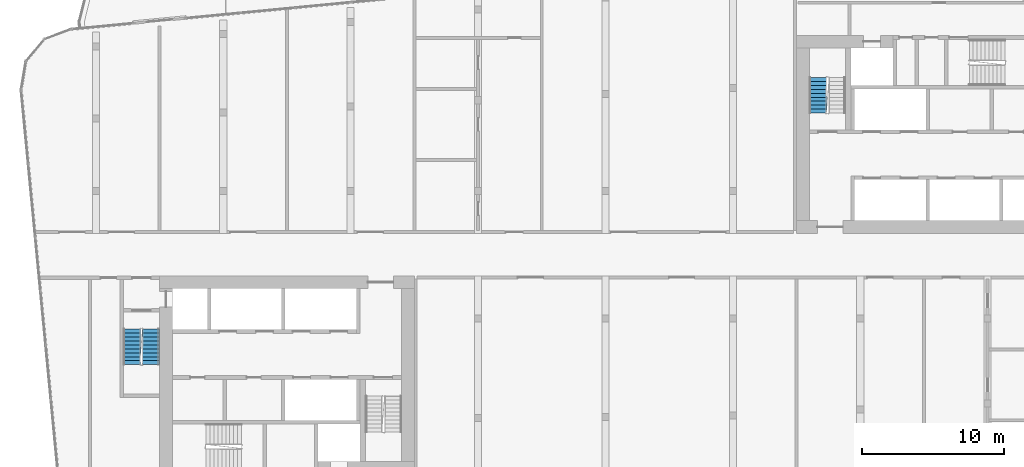
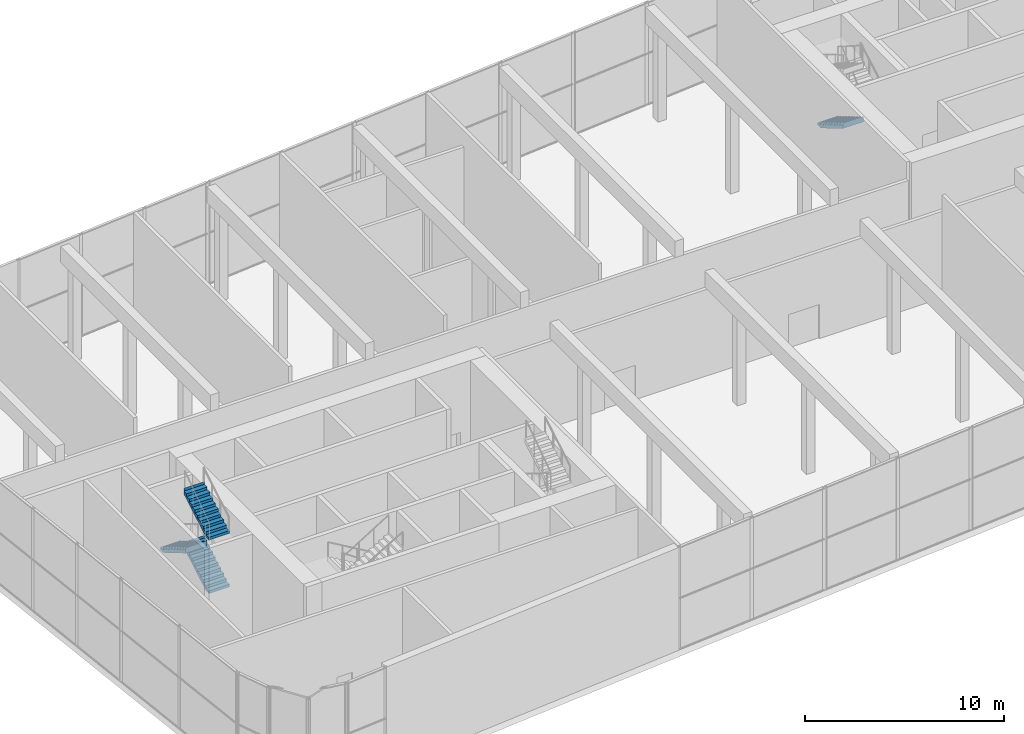
# One storey, part 18 of 24: 4 stair flights, 2 elements without a shape of their own.
"""IFC4 building model written with IfcOpenShell, lengths in metres."""

import ifcopenshell
import ifcopenshell.guid

model = None  # the IFC model being written
_history = None  # IfcOwnerHistory: only IFC2X3 demands one
_inside = {}  # id of a spatial element -> (the spatial element, [elements in it])
_under = {}  # id of a project, library or spatial element -> (it, [spatial elements below it])
_declared = {}  # id of a project -> (the project, [libraries it declares])
_typed = {}  # id of a type object -> (the type object, [elements of that type])
_made_of = {}  # id of a material, layer set ... -> (it, [elements and type objects made of it])


def new_model(schema):
    """Start an empty IFC model of exactly this schema.

    Asked for "IFC4X3", IfcOpenShell would pick the latest addendum, in which some entities
    have other attributes; the version numbers below select the first issue.
    IFC2X3 requires an IfcOwnerHistory on every rooted entity: one is made here for all.
    """
    global model, _history
    if schema == "IFC4X3":
        model = ifcopenshell.file(schema_version=(4, 3, 0, 0))
    else:
        model = ifcopenshell.file(schema=schema)
    _inside.clear()
    _under.clear()
    _declared.clear()
    _typed.clear()
    _made_of.clear()
    _history = None
    if model.schema == "IFC2X3":
        org = make("IfcOrganization", Name="unknown")
        user = make(
            "IfcPersonAndOrganization",
            ThePerson=make("IfcPerson", FamilyName="unknown"),
            TheOrganization=org,
        )
        app = make(
            "IfcApplication",
            ApplicationDeveloper=org,
            Version="unknown",
            ApplicationFullName="unknown",
            ApplicationIdentifier="unknown",
        )
        _history = make(
            "IfcOwnerHistory",
            OwningUser=user,
            OwningApplication=app,
            ChangeAction="ADDED",
            CreationDate=0,
        )
    return model


def make(cls, **values):
    """One entity of the class cls with the attributes given. An attribute that is None is left unset."""
    return model.create_entity(
        cls, **{name: value for name, value in values.items() if value is not None}
    )


def rooted(cls, **values):
    """An entity with a GlobalId (a new one), such as an element, a storey or a relation."""
    return make(cls, GlobalId=ifcopenshell.guid.new(), OwnerHistory=_history, **values)


def si_unit(unit_type, name, prefix=None):
    """IfcSIUnit, for example si_unit("LENGTHUNIT", "METRE", prefix="MILLI")."""
    return make("IfcSIUnit", UnitType=unit_type, Prefix=prefix, Name=name)


def assignment(units):
    """IfcUnitAssignment: the units of a project."""
    return None if units is None else make("IfcUnitAssignment", Units=units)


def point(xyz):
    """IfcCartesianPoint."""
    return None if xyz is None else make("IfcCartesianPoint", Coordinates=xyz)


def direction(xyz):
    """IfcDirection."""
    return None if xyz is None else make("IfcDirection", DirectionRatios=xyz)


def frame(location, z_axis=None, x_axis=None):
    """IfcAxis2Placement3D, a coordinate frame: its origin and axes. An axis left out is left unset."""
    return make(
        "IfcAxis2Placement3D",
        Location=point(location),
        Axis=direction(z_axis),
        RefDirection=direction(x_axis),
    )


def origin():
    """The frame at (0, 0, 0) with its axes left unset."""
    return frame((0.0, 0.0, 0.0))


def place(relative_to, where):
    """IfcLocalPlacement: puts the frame where relative to a parent placement (None: the world)."""
    return make(
        "IfcLocalPlacement", PlacementRelTo=relative_to, RelativePlacement=where
    )


def context(
    kind, dimensions, precision=None, world=None, true_north=None, identifier=None
):
    """IfcGeometricRepresentationContext, for example the 3D "Model" context."""
    return make(
        "IfcGeometricRepresentationContext",
        ContextIdentifier=identifier,
        ContextType=kind,
        CoordinateSpaceDimension=dimensions,
        Precision=precision,
        WorldCoordinateSystem=world,
        TrueNorth=true_north,
    )


def subcontext(parent, identifier, kind, view, scale=None):
    """IfcGeometricRepresentationSubContext, for example "Body" below "Model"."""
    return make(
        "IfcGeometricRepresentationSubContext",
        ContextIdentifier=identifier,
        ContextType=kind,
        ParentContext=parent,
        TargetScale=scale,
        TargetView=view,
    )


def project(units=None, contexts=None):
    """IfcProject with its units and contexts."""
    return rooted(
        "IfcProject",
        Name="project",
        RepresentationContexts=contexts,
        UnitsInContext=assignment(units),
    )


def spatial(cls, under=None, at=None, **own):
    """A site, building, storey or space (cls), placed at a placement, below another one or the project."""
    s = rooted(cls, ObjectPlacement=at, **own)
    if under is not None:
        _under.setdefault(under.id(), (under, []))[1].append(s)
    return s


def faces_of(points, faces, orient=None, outer=None):
    """IfcFace entities. A face is a list of loops; a loop is a list of indices into points, from 0.

    orient and outer hold one flag for each loop. By default every Orientation is true, the
    first loop of a face is its IfcFaceOuterBound and the others are IfcFaceBound.
    """
    made = []
    for i, loops in enumerate(faces):
        bounds = []
        for j, loop in enumerate(loops):
            is_outer = j == 0 if outer is None else outer[i][j]
            bounds.append(
                make(
                    "IfcFaceOuterBound" if is_outer else "IfcFaceBound",
                    Bound=make("IfcPolyLoop", Polygon=[points[k] for k in loop]),
                    Orientation=True if orient is None else orient[i][j],
                )
            )
        made.append(make("IfcFace", Bounds=bounds))
    return made


def faceted_brep(points, faces, orient=None, outer=None, voids=None):
    """IfcFacetedBrep: a solid bounded by flat faces; with voids (closed shells), ...WithVoids."""
    shared = [point(p) for p in points]
    hull = make("IfcClosedShell", CfsFaces=faces_of(shared, faces, orient, outer))
    if voids is None:
        return make("IfcFacetedBrep", Outer=hull)
    return make(
        "IfcFacetedBrepWithVoids",
        Outer=hull,
        Voids=[
            make(cls, CfsFaces=faces_of(shared, fs, o, b)) for cls, fs, o, b in voids
        ],
    )


def shape(context_of_items, identifier, shape_type, items):
    """IfcShapeRepresentation: the items that make up one representation, for example the "Body"."""
    return make(
        "IfcShapeRepresentation",
        ContextOfItems=context_of_items,
        RepresentationIdentifier=identifier,
        RepresentationType=shape_type,
        Items=items,
    )


def material(Name=None, Category=None):
    """IfcMaterial."""
    return make("IfcMaterial", Name=Name, Category=Category)


def made_of(thing, what):
    """Note that an element or type object is made of a material, layer set ...; save() writes the relation."""
    if what is not None:
        _made_of.setdefault(what.id(), (what, []))[1].append(thing)
    return thing


def type_object(cls, material=None, **own):
    """A type object (cls), such as IfcWallType, which elements share."""
    return made_of(rooted(cls, **own), material)


def element(
    cls,
    number,
    at=None,
    inside=None,
    cuts=None,
    type_object=None,
    material=None,
    context=None,
    identifier="Body",
    shape_type=None,
    held_by="IfcProductDefinitionShape",
    body=None,
    shapes=None,
    **own,
):
    """One element of the class cls, such as IfcWall. Its Tag is "e" and its number.

    at: its placement. inside: the storey or other place that contains it. cuts: it is an
    opening in that element (IfcRelVoidsElement). A single representation is given by context,
    identifier, shape_type and body (its items); several are given by shapes. held_by: the class
    of the entity that holds the representations. save() writes the other relations.
    """
    e = rooted(cls, Tag="e%d" % number, ObjectPlacement=at, **own)
    if body is not None:
        shapes = [shape(context, identifier, shape_type, body)]
    if shapes is not None:
        e.Representation = make(held_by, Representations=shapes)
    if inside is not None:
        _inside.setdefault(inside.id(), (inside, []))[1].append(e)
    if cuts is not None:
        rooted(
            "IfcRelVoidsElement", RelatingBuildingElement=cuts, RelatedOpeningElement=e
        )
    if type_object is not None:
        _typed.setdefault(type_object.id(), (type_object, []))[1].append(e)
    return made_of(e, material)


def aggregate(whole, parts):
    """IfcRelAggregates: a whole, such as a stair, and the parts it consists of."""
    return rooted("IfcRelAggregates", RelatingObject=whole, RelatedObjects=parts)


def save(model, path):
    """Write the relations noted so far, then the file.

    IfcRelAggregates (storeys below a building ...), IfcRelContainedInSpatialStructure (elements
    in a storey), IfcRelDefinesByType, IfcRelAssociatesMaterial and IfcRelDeclares: one each for
    every whole, place, type object, material and project.
    """
    for whole, parts in _under.values():
        aggregate(whole, parts)
    for where, things in _inside.values():
        rooted(
            "IfcRelContainedInSpatialStructure",
            RelatedElements=things,
            RelatingStructure=where,
        )
    for kind, things in _typed.values():
        rooted("IfcRelDefinesByType", RelatedObjects=things, RelatingType=kind)
    for what, things in _made_of.values():
        rooted("IfcRelAssociatesMaterial", RelatedObjects=things, RelatingMaterial=what)
    for by, libraries in _declared.values():
        rooted("IfcRelDeclares", RelatingContext=by, RelatedDefinitions=libraries)
    model.write(path)


model = new_model("IFC4")

# Units and contexts
model_context = context("Model", 3, precision=1e-05, world=origin(), true_north=direction((0.0, 1.0)))
body_context = subcontext(model_context, "Body", "Model", "MODEL_VIEW")
ifc_project = project(units=[si_unit("LENGTHUNIT", "METRE"), si_unit("AREAUNIT", "SQUARE_METRE"), si_unit("VOLUMEUNIT", "CUBIC_METRE"), si_unit("PLANEANGLEUNIT", "RADIAN"), si_unit("MASSUNIT", "GRAM", prefix="KILO")], contexts=[model_context])

# Site, building, storey
site_placement = place(None, origin())
site = spatial("IfcSite", under=ifc_project, at=site_placement, CompositionType="ELEMENT")
building_placement = place(site_placement, origin())
building = spatial("IfcBuilding", under=site, at=building_placement, Name="Kajstack Hotel Tower", CompositionType="ELEMENT")
storey_placement = place(building_placement, frame((0.0, 0.0, 261.89990234375)))
storey = spatial("IfcBuildingStorey", under=building, at=storey_placement, Name="L65", CompositionType="ELEMENT", Elevation=261.89990234375)

# Stair, stair flights
ifc_material = material(Name="Concrete C40/50", Category="concrete")
stair_type = type_object("IfcStairType", Name="Exit stair 1200", PredefinedType="HALF_TURN_STAIR", material=ifc_material)
stair_1_placement = place(storey_placement, origin())
stair_1 = element("IfcStair", 1, at=stair_1_placement, inside=storey, type_object=stair_type, Name="L65 stair W1", PredefinedType="HALF_TURN_STAIR")
stair_flight_type = type_object("IfcStairFlightType", Name="Exit stair flight 1200", PredefinedType="STRAIGHT", material=ifc_material)
stair_flight_1_placement = place(storey_placement, frame((-32.10009765625, -7.77001953125, 1.650146484375), z_axis=(0.0, 0.0, 1.0), x_axis=(0.0, 1.0, 0.0)))
stair_flight_1 = element("IfcStairFlight", 2, at=stair_flight_1_placement, type_object=stair_flight_type, Name="W1 flight 2", NumberOfRisers=10, NumberOfTreads=9, PredefinedType="STRAIGHT", RiserHeight=0.165, TreadLength=0.28, context=body_context, shape_type="Brep", body=[
    faceted_brep([(0.295654296875, -0.60009765625, 0.0), (2.5205078125, -0.60009765625, 1.31103515625), (2.5205078125, -0.60009765625, 1.64990234375), (2.52001953125, -0.60009765625, 1.64990234375), (2.52001953125, -0.60009765625, 1.485107421875), (2.239990234375, -0.60009765625, 1.485107421875), (2.239990234375, -0.60009765625, 1.320068359375), (1.9599609375, -0.60009765625, 1.320068359375), (1.9599609375, -0.60009765625, 1.155029296875), (1.679931640625, -0.60009765625, 1.155029296875), (1.679931640625, -0.60009765625, 0.989990234375), (1.39990234375, -0.60009765625, 0.989990234375), (1.39990234375, -0.60009765625, 0.824951171875), (1.1201171875, -0.60009765625, 0.824951171875), (1.1201171875, -0.60009765625, 0.659912109375), (0.840087890625, -0.60009765625, 0.659912109375), (0.840087890625, -0.60009765625, 0.4951171875), (0.56005859375, -0.60009765625, 0.4951171875), (0.56005859375, -0.60009765625, 0.330078125), (0.280029296875, -0.60009765625, 0.330078125), (0.280029296875, -0.60009765625, 0.1650390625), (-0.00048828125, -0.60009765625, 0.1650390625), (-0.00048828125, -0.60009765625, 0.0), (-0.00048828125, 0.60009765625, 0.0), (-0.00048828125, 0.60009765625, 0.1650390625), (0.280029296875, 0.60009765625, 0.1650390625), (0.280029296875, 0.60009765625, 0.330078125), (0.56005859375, 0.60009765625, 0.330078125), (0.56005859375, 0.60009765625, 0.4951171875), (0.840087890625, 0.60009765625, 0.4951171875), (0.840087890625, 0.60009765625, 0.659912109375), (1.1201171875, 0.60009765625, 0.659912109375), (1.1201171875, 0.60009765625, 0.824951171875), (1.39990234375, 0.60009765625, 0.824951171875), (1.39990234375, 0.60009765625, 0.989990234375), (1.679931640625, 0.60009765625, 0.989990234375), (1.679931640625, 0.60009765625, 1.155029296875), (1.9599609375, 0.60009765625, 1.155029296875), (1.9599609375, 0.60009765625, 1.320068359375), (2.239990234375, 0.60009765625, 1.320068359375), (2.239990234375, 0.60009765625, 1.485107421875), (2.52001953125, 0.60009765625, 1.485107421875), (2.52001953125, 0.60009765625, 1.64990234375), (2.5205078125, 0.60009765625, 1.64990234375), (2.5205078125, 0.60009765625, 1.31103515625), (0.295654296875, 0.60009765625, 0.0), (-0.00048828125, -0.300048828125, 0.1650390625), (-0.00048828125, 0.0, 0.1650390625), (-0.00048828125, 0.300048828125, 0.1650390625), (-0.00048828125, 0.300048828125, 0.0), (-0.00048828125, 0.0, 0.0), (-0.00048828125, -0.300048828125, 0.0), (0.280029296875, -0.300048828125, 0.1650390625), (0.280029296875, 0.0, 0.1650390625), (0.280029296875, 0.300048828125, 0.1650390625), (0.280029296875, -0.300048828125, 0.330078125), (0.280029296875, 0.0, 0.330078125), (0.280029296875, 0.300048828125, 0.330078125), (0.56005859375, -0.300048828125, 0.330078125), (0.56005859375, 0.0, 0.330078125), (0.56005859375, 0.300048828125, 0.330078125), (0.56005859375, -0.300048828125, 0.4951171875), (0.56005859375, 0.0, 0.4951171875), (0.56005859375, 0.300048828125, 0.4951171875), (0.840087890625, -0.300048828125, 0.4951171875), (0.840087890625, 0.0, 0.4951171875), (0.840087890625, 0.300048828125, 0.4951171875), (0.840087890625, -0.300048828125, 0.659912109375), (0.840087890625, 0.0, 0.659912109375), (0.840087890625, 0.300048828125, 0.659912109375), (1.1201171875, -0.300048828125, 0.659912109375), (1.1201171875, 0.0, 0.659912109375), (1.1201171875, 0.300048828125, 0.659912109375), (1.1201171875, -0.300048828125, 0.824951171875), (1.1201171875, 0.0, 0.824951171875), (1.1201171875, 0.300048828125, 0.824951171875), (1.39990234375, -0.300048828125, 0.824951171875), (1.39990234375, 0.0, 0.824951171875), (1.39990234375, 0.300048828125, 0.824951171875), (1.39990234375, -0.300048828125, 0.989990234375), (1.39990234375, 0.0, 0.989990234375), (1.39990234375, 0.300048828125, 0.989990234375), (1.679931640625, -0.300048828125, 0.989990234375), (1.679931640625, 0.0, 0.989990234375), (1.679931640625, 0.300048828125, 0.989990234375), (1.679931640625, -0.300048828125, 1.155029296875), (1.679931640625, 0.0, 1.155029296875), (1.679931640625, 0.300048828125, 1.155029296875), (1.9599609375, -0.300048828125, 1.155029296875), (1.9599609375, 0.0, 1.155029296875), (1.9599609375, 0.300048828125, 1.155029296875), (1.9599609375, -0.300048828125, 1.320068359375), (1.9599609375, 0.0, 1.320068359375), (1.9599609375, 0.300048828125, 1.320068359375), (2.239990234375, -0.300048828125, 1.320068359375), (2.239990234375, 0.0, 1.320068359375), (2.239990234375, 0.300048828125, 1.320068359375), (2.239990234375, -0.300048828125, 1.485107421875), (2.239990234375, 0.0, 1.485107421875), (2.239990234375, 0.300048828125, 1.485107421875), (2.52001953125, -0.300048828125, 1.485107421875), (2.52001953125, 0.0, 1.485107421875), (2.52001953125, 0.300048828125, 1.485107421875), (2.52001953125, -0.300048828125, 1.64990234375), (2.52001953125, 0.0, 1.64990234375), (2.52001953125, 0.300048828125, 1.64990234375), (2.5205078125, -0.300048828125, 1.64990234375), (2.5205078125, 0.0, 1.64990234375), (2.5205078125, 0.300048828125, 1.64990234375), (2.5205078125, -0.300048828125, 1.31103515625), (2.5205078125, 0.0, 1.31103515625), (2.5205078125, 0.300048828125, 1.31103515625), (0.295654296875, -0.300048828125, 0.0), (0.295654296875, 0.0, 0.0), (0.295654296875, 0.300048828125, 0.0)], [[[0, 1, 2, 3, 4, 5, 6, 7, 8, 9, 10, 11, 12, 13, 14, 15, 16, 17, 18, 19, 20, 21, 22]], [[23, 24, 25, 26, 27, 28, 29, 30, 31, 32, 33, 34, 35, 36, 37, 38, 39, 40, 41, 42, 43, 44, 45]], [[21, 46, 47, 48, 24, 23, 49, 50, 51, 22]], [[20, 52, 53, 54, 25, 24, 48, 47, 46, 21]], [[19, 55, 56, 57, 26, 25, 54, 53, 52, 20]], [[18, 58, 59, 60, 27, 26, 57, 56, 55, 19]], [[17, 61, 62, 63, 28, 27, 60, 59, 58, 18]], [[16, 64, 65, 66, 29, 28, 63, 62, 61, 17]], [[15, 67, 68, 69, 30, 29, 66, 65, 64, 16]], [[14, 70, 71, 72, 31, 30, 69, 68, 67, 15]], [[13, 73, 74, 75, 32, 31, 72, 71, 70, 14]], [[12, 76, 77, 78, 33, 32, 75, 74, 73, 13]], [[11, 79, 80, 81, 34, 33, 78, 77, 76, 12]], [[10, 82, 83, 84, 35, 34, 81, 80, 79, 11]], [[9, 85, 86, 87, 36, 35, 84, 83, 82, 10]], [[8, 88, 89, 90, 37, 36, 87, 86, 85, 9]], [[7, 91, 92, 93, 38, 37, 90, 89, 88, 8]], [[6, 94, 95, 96, 39, 38, 93, 92, 91, 7]], [[5, 97, 98, 99, 40, 39, 96, 95, 94, 6]], [[4, 100, 101, 102, 41, 40, 99, 98, 97, 5]], [[3, 103, 104, 105, 42, 41, 102, 101, 100, 4]], [[2, 106, 107, 108, 43, 42, 105, 104, 103, 3]], [[1, 109, 110, 111, 44, 43, 108, 107, 106, 2]], [[0, 112, 113, 114, 45, 44, 111, 110, 109, 1]], [[22, 51, 50, 49, 23, 45, 114, 113, 112, 0]]]),
])
stair_flight_2_placement = place(storey_placement, frame((-33.449951171875, -5.25, 3.300048828125), z_axis=(0.0, 0.0, 1.0), x_axis=(0.0, -1.0, 0.0)))
stair_flight_2 = element("IfcStairFlight", 3, at=stair_flight_2_placement, type_object=stair_flight_type, Name="W1 flight 3", NumberOfRisers=10, NumberOfTreads=9, PredefinedType="STRAIGHT", RiserHeight=0.165, TreadLength=0.28, context=body_context, shape_type="Brep", body=[
    faceted_brep([(0.295654296875, -0.60009765625, 0.0), (2.5205078125, -0.60009765625, 1.31103515625), (2.5205078125, -0.60009765625, 1.64990234375), (2.52001953125, -0.60009765625, 1.64990234375), (2.52001953125, -0.60009765625, 1.485107421875), (2.239990234375, -0.60009765625, 1.485107421875), (2.239990234375, -0.60009765625, 1.320068359375), (1.9599609375, -0.60009765625, 1.320068359375), (1.9599609375, -0.60009765625, 1.155029296875), (1.679931640625, -0.60009765625, 1.155029296875), (1.679931640625, -0.60009765625, 0.989990234375), (1.39990234375, -0.60009765625, 0.989990234375), (1.39990234375, -0.60009765625, 0.824951171875), (1.1201171875, -0.60009765625, 0.824951171875), (1.1201171875, -0.60009765625, 0.659912109375), (0.840087890625, -0.60009765625, 0.659912109375), (0.840087890625, -0.60009765625, 0.4951171875), (0.56005859375, -0.60009765625, 0.4951171875), (0.56005859375, -0.60009765625, 0.330078125), (0.280029296875, -0.60009765625, 0.330078125), (0.280029296875, -0.60009765625, 0.1650390625), (-0.00048828125, -0.60009765625, 0.1650390625), (-0.00048828125, -0.60009765625, 0.0), (-0.00048828125, 0.60009765625, 0.0), (-0.00048828125, 0.60009765625, 0.1650390625), (0.280029296875, 0.60009765625, 0.1650390625), (0.280029296875, 0.60009765625, 0.330078125), (0.56005859375, 0.60009765625, 0.330078125), (0.56005859375, 0.60009765625, 0.4951171875), (0.840087890625, 0.60009765625, 0.4951171875), (0.840087890625, 0.60009765625, 0.659912109375), (1.1201171875, 0.60009765625, 0.659912109375), (1.1201171875, 0.60009765625, 0.824951171875), (1.39990234375, 0.60009765625, 0.824951171875), (1.39990234375, 0.60009765625, 0.989990234375), (1.679931640625, 0.60009765625, 0.989990234375), (1.679931640625, 0.60009765625, 1.155029296875), (1.9599609375, 0.60009765625, 1.155029296875), (1.9599609375, 0.60009765625, 1.320068359375), (2.239990234375, 0.60009765625, 1.320068359375), (2.239990234375, 0.60009765625, 1.485107421875), (2.52001953125, 0.60009765625, 1.485107421875), (2.52001953125, 0.60009765625, 1.64990234375), (2.5205078125, 0.60009765625, 1.64990234375), (2.5205078125, 0.60009765625, 1.31103515625), (0.295654296875, 0.60009765625, 0.0), (-0.00048828125, -0.300048828125, 0.1650390625), (-0.00048828125, 0.0, 0.1650390625), (-0.00048828125, 0.300048828125, 0.1650390625), (-0.00048828125, 0.300048828125, 0.0), (-0.00048828125, 0.0, 0.0), (-0.00048828125, -0.300048828125, 0.0), (0.280029296875, -0.300048828125, 0.1650390625), (0.280029296875, 0.0, 0.1650390625), (0.280029296875, 0.300048828125, 0.1650390625), (0.280029296875, -0.300048828125, 0.330078125), (0.280029296875, 0.0, 0.330078125), (0.280029296875, 0.300048828125, 0.330078125), (0.56005859375, -0.300048828125, 0.330078125), (0.56005859375, 0.0, 0.330078125), (0.56005859375, 0.300048828125, 0.330078125), (0.56005859375, -0.300048828125, 0.4951171875), (0.56005859375, 0.0, 0.4951171875), (0.56005859375, 0.300048828125, 0.4951171875), (0.840087890625, -0.300048828125, 0.4951171875), (0.840087890625, 0.0, 0.4951171875), (0.840087890625, 0.300048828125, 0.4951171875), (0.840087890625, -0.300048828125, 0.659912109375), (0.840087890625, 0.0, 0.659912109375), (0.840087890625, 0.300048828125, 0.659912109375), (1.1201171875, -0.300048828125, 0.659912109375), (1.1201171875, 0.0, 0.659912109375), (1.1201171875, 0.300048828125, 0.659912109375), (1.1201171875, -0.300048828125, 0.824951171875), (1.1201171875, 0.0, 0.824951171875), (1.1201171875, 0.300048828125, 0.824951171875), (1.39990234375, -0.300048828125, 0.824951171875), (1.39990234375, 0.0, 0.824951171875), (1.39990234375, 0.300048828125, 0.824951171875), (1.39990234375, -0.300048828125, 0.989990234375), (1.39990234375, 0.0, 0.989990234375), (1.39990234375, 0.300048828125, 0.989990234375), (1.679931640625, -0.300048828125, 0.989990234375), (1.679931640625, 0.0, 0.989990234375), (1.679931640625, 0.300048828125, 0.989990234375), (1.679931640625, -0.300048828125, 1.155029296875), (1.679931640625, 0.0, 1.155029296875), (1.679931640625, 0.300048828125, 1.155029296875), (1.9599609375, -0.300048828125, 1.155029296875), (1.9599609375, 0.0, 1.155029296875), (1.9599609375, 0.300048828125, 1.155029296875), (1.9599609375, -0.300048828125, 1.320068359375), (1.9599609375, 0.0, 1.320068359375), (1.9599609375, 0.300048828125, 1.320068359375), (2.239990234375, -0.300048828125, 1.320068359375), (2.239990234375, 0.0, 1.320068359375), (2.239990234375, 0.300048828125, 1.320068359375), (2.239990234375, -0.300048828125, 1.485107421875), (2.239990234375, 0.0, 1.485107421875), (2.239990234375, 0.300048828125, 1.485107421875), (2.52001953125, -0.300048828125, 1.485107421875), (2.52001953125, 0.0, 1.485107421875), (2.52001953125, 0.300048828125, 1.485107421875), (2.52001953125, -0.300048828125, 1.64990234375), (2.52001953125, 0.0, 1.64990234375), (2.52001953125, 0.300048828125, 1.64990234375), (2.5205078125, -0.300048828125, 1.64990234375), (2.5205078125, 0.0, 1.64990234375), (2.5205078125, 0.300048828125, 1.64990234375), (2.5205078125, -0.300048828125, 1.31103515625), (2.5205078125, 0.0, 1.31103515625), (2.5205078125, 0.300048828125, 1.31103515625), (0.295654296875, -0.300048828125, 0.0), (0.295654296875, 0.0, 0.0), (0.295654296875, 0.300048828125, 0.0)], [[[0, 1, 2, 3, 4, 5, 6, 7, 8, 9, 10, 11, 12, 13, 14, 15, 16, 17, 18, 19, 20, 21, 22]], [[23, 24, 25, 26, 27, 28, 29, 30, 31, 32, 33, 34, 35, 36, 37, 38, 39, 40, 41, 42, 43, 44, 45]], [[21, 46, 47, 48, 24, 23, 49, 50, 51, 22]], [[20, 52, 53, 54, 25, 24, 48, 47, 46, 21]], [[19, 55, 56, 57, 26, 25, 54, 53, 52, 20]], [[18, 58, 59, 60, 27, 26, 57, 56, 55, 19]], [[17, 61, 62, 63, 28, 27, 60, 59, 58, 18]], [[16, 64, 65, 66, 29, 28, 63, 62, 61, 17]], [[15, 67, 68, 69, 30, 29, 66, 65, 64, 16]], [[14, 70, 71, 72, 31, 30, 69, 68, 67, 15]], [[13, 73, 74, 75, 32, 31, 72, 71, 70, 14]], [[12, 76, 77, 78, 33, 32, 75, 74, 73, 13]], [[11, 79, 80, 81, 34, 33, 78, 77, 76, 12]], [[10, 82, 83, 84, 35, 34, 81, 80, 79, 11]], [[9, 85, 86, 87, 36, 35, 84, 83, 82, 10]], [[8, 88, 89, 90, 37, 36, 87, 86, 85, 9]], [[7, 91, 92, 93, 38, 37, 90, 89, 88, 8]], [[6, 94, 95, 96, 39, 38, 93, 92, 91, 7]], [[5, 97, 98, 99, 40, 39, 96, 95, 94, 6]], [[4, 100, 101, 102, 41, 40, 99, 98, 97, 5]], [[3, 103, 104, 105, 42, 41, 102, 101, 100, 4]], [[2, 106, 107, 108, 43, 42, 105, 104, 103, 3]], [[1, 109, 110, 111, 44, 43, 108, 107, 106, 2]], [[0, 112, 113, 114, 45, 44, 111, 110, 109, 1]], [[22, 51, 50, 49, 23, 45, 114, 113, 112, 0]]]),
])
stair_flight_3_placement = place(storey_placement, frame((-32.10009765625, -7.77001953125, 4.9501953125), z_axis=(0.0, 0.0, 1.0), x_axis=(0.0, 1.0, 0.0)))
stair_flight_3 = element("IfcStairFlight", 4, at=stair_flight_3_placement, type_object=stair_flight_type, Name="W1 flight 4", NumberOfRisers=10, NumberOfTreads=9, PredefinedType="STRAIGHT", RiserHeight=0.165, TreadLength=0.28, context=body_context, shape_type="Brep", body=[
    faceted_brep([(0.295654296875, -0.60009765625, 0.0), (2.5205078125, -0.60009765625, 1.31103515625), (2.5205078125, -0.60009765625, 1.64990234375), (2.52001953125, -0.60009765625, 1.64990234375), (2.52001953125, -0.60009765625, 1.485107421875), (2.239990234375, -0.60009765625, 1.485107421875), (2.239990234375, -0.60009765625, 1.320068359375), (1.9599609375, -0.60009765625, 1.320068359375), (1.9599609375, -0.60009765625, 1.155029296875), (1.679931640625, -0.60009765625, 1.155029296875), (1.679931640625, -0.60009765625, 0.989990234375), (1.39990234375, -0.60009765625, 0.989990234375), (1.39990234375, -0.60009765625, 0.824951171875), (1.1201171875, -0.60009765625, 0.824951171875), (1.1201171875, -0.60009765625, 0.659912109375), (0.840087890625, -0.60009765625, 0.659912109375), (0.840087890625, -0.60009765625, 0.4951171875), (0.56005859375, -0.60009765625, 0.4951171875), (0.56005859375, -0.60009765625, 0.330078125), (0.280029296875, -0.60009765625, 0.330078125), (0.280029296875, -0.60009765625, 0.1650390625), (-0.00048828125, -0.60009765625, 0.1650390625), (-0.00048828125, -0.60009765625, 0.0), (-0.00048828125, 0.60009765625, 0.0), (-0.00048828125, 0.60009765625, 0.1650390625), (0.280029296875, 0.60009765625, 0.1650390625), (0.280029296875, 0.60009765625, 0.330078125), (0.56005859375, 0.60009765625, 0.330078125), (0.56005859375, 0.60009765625, 0.4951171875), (0.840087890625, 0.60009765625, 0.4951171875), (0.840087890625, 0.60009765625, 0.659912109375), (1.1201171875, 0.60009765625, 0.659912109375), (1.1201171875, 0.60009765625, 0.824951171875), (1.39990234375, 0.60009765625, 0.824951171875), (1.39990234375, 0.60009765625, 0.989990234375), (1.679931640625, 0.60009765625, 0.989990234375), (1.679931640625, 0.60009765625, 1.155029296875), (1.9599609375, 0.60009765625, 1.155029296875), (1.9599609375, 0.60009765625, 1.320068359375), (2.239990234375, 0.60009765625, 1.320068359375), (2.239990234375, 0.60009765625, 1.485107421875), (2.52001953125, 0.60009765625, 1.485107421875), (2.52001953125, 0.60009765625, 1.64990234375), (2.5205078125, 0.60009765625, 1.64990234375), (2.5205078125, 0.60009765625, 1.31103515625), (0.295654296875, 0.60009765625, 0.0), (-0.00048828125, -0.300048828125, 0.1650390625), (-0.00048828125, 0.0, 0.1650390625), (-0.00048828125, 0.300048828125, 0.1650390625), (-0.00048828125, 0.300048828125, 0.0), (-0.00048828125, 0.0, 0.0), (-0.00048828125, -0.300048828125, 0.0), (0.280029296875, -0.300048828125, 0.1650390625), (0.280029296875, 0.0, 0.1650390625), (0.280029296875, 0.300048828125, 0.1650390625), (0.280029296875, -0.300048828125, 0.330078125), (0.280029296875, 0.0, 0.330078125), (0.280029296875, 0.300048828125, 0.330078125), (0.56005859375, -0.300048828125, 0.330078125), (0.56005859375, 0.0, 0.330078125), (0.56005859375, 0.300048828125, 0.330078125), (0.56005859375, -0.300048828125, 0.4951171875), (0.56005859375, 0.0, 0.4951171875), (0.56005859375, 0.300048828125, 0.4951171875), (0.840087890625, -0.300048828125, 0.4951171875), (0.840087890625, 0.0, 0.4951171875), (0.840087890625, 0.300048828125, 0.4951171875), (0.840087890625, -0.300048828125, 0.659912109375), (0.840087890625, 0.0, 0.659912109375), (0.840087890625, 0.300048828125, 0.659912109375), (1.1201171875, -0.300048828125, 0.659912109375), (1.1201171875, 0.0, 0.659912109375), (1.1201171875, 0.300048828125, 0.659912109375), (1.1201171875, -0.300048828125, 0.824951171875), (1.1201171875, 0.0, 0.824951171875), (1.1201171875, 0.300048828125, 0.824951171875), (1.39990234375, -0.300048828125, 0.824951171875), (1.39990234375, 0.0, 0.824951171875), (1.39990234375, 0.300048828125, 0.824951171875), (1.39990234375, -0.300048828125, 0.989990234375), (1.39990234375, 0.0, 0.989990234375), (1.39990234375, 0.300048828125, 0.989990234375), (1.679931640625, -0.300048828125, 0.989990234375), (1.679931640625, 0.0, 0.989990234375), (1.679931640625, 0.300048828125, 0.989990234375), (1.679931640625, -0.300048828125, 1.155029296875), (1.679931640625, 0.0, 1.155029296875), (1.679931640625, 0.300048828125, 1.155029296875), (1.9599609375, -0.300048828125, 1.155029296875), (1.9599609375, 0.0, 1.155029296875), (1.9599609375, 0.300048828125, 1.155029296875), (1.9599609375, -0.300048828125, 1.320068359375), (1.9599609375, 0.0, 1.320068359375), (1.9599609375, 0.300048828125, 1.320068359375), (2.239990234375, -0.300048828125, 1.320068359375), (2.239990234375, 0.0, 1.320068359375), (2.239990234375, 0.300048828125, 1.320068359375), (2.239990234375, -0.300048828125, 1.485107421875), (2.239990234375, 0.0, 1.485107421875), (2.239990234375, 0.300048828125, 1.485107421875), (2.52001953125, -0.300048828125, 1.485107421875), (2.52001953125, 0.0, 1.485107421875), (2.52001953125, 0.300048828125, 1.485107421875), (2.52001953125, -0.300048828125, 1.64990234375), (2.52001953125, 0.0, 1.64990234375), (2.52001953125, 0.300048828125, 1.64990234375), (2.5205078125, -0.300048828125, 1.64990234375), (2.5205078125, 0.0, 1.64990234375), (2.5205078125, 0.300048828125, 1.64990234375), (2.5205078125, -0.300048828125, 1.31103515625), (2.5205078125, 0.0, 1.31103515625), (2.5205078125, 0.300048828125, 1.31103515625), (0.295654296875, -0.300048828125, 0.0), (0.295654296875, 0.0, 0.0), (0.295654296875, 0.300048828125, 0.0)], [[[0, 1, 2, 3, 4, 5, 6, 7, 8, 9, 10, 11, 12, 13, 14, 15, 16, 17, 18, 19, 20, 21, 22]], [[23, 24, 25, 26, 27, 28, 29, 30, 31, 32, 33, 34, 35, 36, 37, 38, 39, 40, 41, 42, 43, 44, 45]], [[21, 46, 47, 48, 24, 23, 49, 50, 51, 22]], [[20, 52, 53, 54, 25, 24, 48, 47, 46, 21]], [[19, 55, 56, 57, 26, 25, 54, 53, 52, 20]], [[18, 58, 59, 60, 27, 26, 57, 56, 55, 19]], [[17, 61, 62, 63, 28, 27, 60, 59, 58, 18]], [[16, 64, 65, 66, 29, 28, 63, 62, 61, 17]], [[15, 67, 68, 69, 30, 29, 66, 65, 64, 16]], [[14, 70, 71, 72, 31, 30, 69, 68, 67, 15]], [[13, 73, 74, 75, 32, 31, 72, 71, 70, 14]], [[12, 76, 77, 78, 33, 32, 75, 74, 73, 13]], [[11, 79, 80, 81, 34, 33, 78, 77, 76, 12]], [[10, 82, 83, 84, 35, 34, 81, 80, 79, 11]], [[9, 85, 86, 87, 36, 35, 84, 83, 82, 10]], [[8, 88, 89, 90, 37, 36, 87, 86, 85, 9]], [[7, 91, 92, 93, 38, 37, 90, 89, 88, 8]], [[6, 94, 95, 96, 39, 38, 93, 92, 91, 7]], [[5, 97, 98, 99, 40, 39, 96, 95, 94, 6]], [[4, 100, 101, 102, 41, 40, 99, 98, 97, 5]], [[3, 103, 104, 105, 42, 41, 102, 101, 100, 4]], [[2, 106, 107, 108, 43, 42, 105, 104, 103, 3]], [[1, 109, 110, 111, 44, 43, 108, 107, 106, 2]], [[0, 112, 113, 114, 45, 44, 111, 110, 109, 1]], [[22, 51, 50, 49, 23, 45, 114, 113, 112, 0]]]),
])
aggregate(stair_1, [stair_flight_1, stair_flight_2, stair_flight_3])

# Stair, stair flight
stair_2_placement = place(storey_placement, origin())
stair_2 = element("IfcStair", 5, at=stair_2_placement, inside=storey, type_object=stair_type, Name="L65 stair E2", PredefinedType="HALF_TURN_STAIR")
stair_flight_4_placement = place(storey_placement, frame((15.0, 12.52001953125, 1.650146484375), z_axis=(0.0, 0.0, 1.0), x_axis=(0.0, -1.0, 0.0)))
stair_flight_4 = element("IfcStairFlight", 6, at=stair_flight_4_placement, type_object=stair_flight_type, Name="E2 flight 2", NumberOfRisers=10, NumberOfTreads=9, PredefinedType="STRAIGHT", RiserHeight=0.165, TreadLength=0.28, context=body_context, shape_type="Brep", body=[
    faceted_brep([(0.295654296875, -0.60009765625, 0.0), (2.5205078125, -0.60009765625, 1.31103515625), (2.5205078125, -0.60009765625, 1.64990234375), (2.52001953125, -0.60009765625, 1.64990234375), (2.52001953125, -0.60009765625, 1.485107421875), (2.239990234375, -0.60009765625, 1.485107421875), (2.239990234375, -0.60009765625, 1.320068359375), (1.9599609375, -0.60009765625, 1.320068359375), (1.9599609375, -0.60009765625, 1.155029296875), (1.679931640625, -0.60009765625, 1.155029296875), (1.679931640625, -0.60009765625, 0.989990234375), (1.39990234375, -0.60009765625, 0.989990234375), (1.39990234375, -0.60009765625, 0.824951171875), (1.1201171875, -0.60009765625, 0.824951171875), (1.1201171875, -0.60009765625, 0.659912109375), (0.840087890625, -0.60009765625, 0.659912109375), (0.840087890625, -0.60009765625, 0.4951171875), (0.56005859375, -0.60009765625, 0.4951171875), (0.56005859375, -0.60009765625, 0.330078125), (0.280029296875, -0.60009765625, 0.330078125), (0.280029296875, -0.60009765625, 0.1650390625), (-0.00048828125, -0.60009765625, 0.1650390625), (-0.00048828125, -0.60009765625, 0.0), (-0.00048828125, 0.60009765625, 0.0), (-0.00048828125, 0.60009765625, 0.1650390625), (0.280029296875, 0.60009765625, 0.1650390625), (0.280029296875, 0.60009765625, 0.330078125), (0.56005859375, 0.60009765625, 0.330078125), (0.56005859375, 0.60009765625, 0.4951171875), (0.840087890625, 0.60009765625, 0.4951171875), (0.840087890625, 0.60009765625, 0.659912109375), (1.1201171875, 0.60009765625, 0.659912109375), (1.1201171875, 0.60009765625, 0.824951171875), (1.39990234375, 0.60009765625, 0.824951171875), (1.39990234375, 0.60009765625, 0.989990234375), (1.679931640625, 0.60009765625, 0.989990234375), (1.679931640625, 0.60009765625, 1.155029296875), (1.9599609375, 0.60009765625, 1.155029296875), (1.9599609375, 0.60009765625, 1.320068359375), (2.239990234375, 0.60009765625, 1.320068359375), (2.239990234375, 0.60009765625, 1.485107421875), (2.52001953125, 0.60009765625, 1.485107421875), (2.52001953125, 0.60009765625, 1.64990234375), (2.5205078125, 0.60009765625, 1.64990234375), (2.5205078125, 0.60009765625, 1.31103515625), (0.295654296875, 0.60009765625, 0.0), (-0.00048828125, -0.300048828125, 0.1650390625), (-0.00048828125, 0.0, 0.1650390625), (-0.00048828125, 0.300048828125, 0.1650390625), (-0.00048828125, 0.300048828125, 0.0), (-0.00048828125, 0.0, 0.0), (-0.00048828125, -0.300048828125, 0.0), (0.280029296875, -0.300048828125, 0.1650390625), (0.280029296875, 0.0, 0.1650390625), (0.280029296875, 0.300048828125, 0.1650390625), (0.280029296875, -0.300048828125, 0.330078125), (0.280029296875, 0.0, 0.330078125), (0.280029296875, 0.300048828125, 0.330078125), (0.56005859375, -0.300048828125, 0.330078125), (0.56005859375, 0.0, 0.330078125), (0.56005859375, 0.300048828125, 0.330078125), (0.56005859375, -0.300048828125, 0.4951171875), (0.56005859375, 0.0, 0.4951171875), (0.56005859375, 0.300048828125, 0.4951171875), (0.840087890625, -0.300048828125, 0.4951171875), (0.840087890625, 0.0, 0.4951171875), (0.840087890625, 0.300048828125, 0.4951171875), (0.840087890625, -0.300048828125, 0.659912109375), (0.840087890625, 0.0, 0.659912109375), (0.840087890625, 0.300048828125, 0.659912109375), (1.1201171875, -0.300048828125, 0.659912109375), (1.1201171875, 0.0, 0.659912109375), (1.1201171875, 0.300048828125, 0.659912109375), (1.1201171875, -0.300048828125, 0.824951171875), (1.1201171875, 0.0, 0.824951171875), (1.1201171875, 0.300048828125, 0.824951171875), (1.39990234375, -0.300048828125, 0.824951171875), (1.39990234375, 0.0, 0.824951171875), (1.39990234375, 0.300048828125, 0.824951171875), (1.39990234375, -0.300048828125, 0.989990234375), (1.39990234375, 0.0, 0.989990234375), (1.39990234375, 0.300048828125, 0.989990234375), (1.679931640625, -0.300048828125, 0.989990234375), (1.679931640625, 0.0, 0.989990234375), (1.679931640625, 0.300048828125, 0.989990234375), (1.679931640625, -0.300048828125, 1.155029296875), (1.679931640625, 0.0, 1.155029296875), (1.679931640625, 0.300048828125, 1.155029296875), (1.9599609375, -0.300048828125, 1.155029296875), (1.9599609375, 0.0, 1.155029296875), (1.9599609375, 0.300048828125, 1.155029296875), (1.9599609375, -0.300048828125, 1.320068359375), (1.9599609375, 0.0, 1.320068359375), (1.9599609375, 0.300048828125, 1.320068359375), (2.239990234375, -0.300048828125, 1.320068359375), (2.239990234375, 0.0, 1.320068359375), (2.239990234375, 0.300048828125, 1.320068359375), (2.239990234375, -0.300048828125, 1.485107421875), (2.239990234375, 0.0, 1.485107421875), (2.239990234375, 0.300048828125, 1.485107421875), (2.52001953125, -0.300048828125, 1.485107421875), (2.52001953125, 0.0, 1.485107421875), (2.52001953125, 0.300048828125, 1.485107421875), (2.52001953125, -0.300048828125, 1.64990234375), (2.52001953125, 0.0, 1.64990234375), (2.52001953125, 0.300048828125, 1.64990234375), (2.5205078125, -0.300048828125, 1.64990234375), (2.5205078125, 0.0, 1.64990234375), (2.5205078125, 0.300048828125, 1.64990234375), (2.5205078125, -0.300048828125, 1.31103515625), (2.5205078125, 0.0, 1.31103515625), (2.5205078125, 0.300048828125, 1.31103515625), (0.295654296875, -0.300048828125, 0.0), (0.295654296875, 0.0, 0.0), (0.295654296875, 0.300048828125, 0.0)], [[[0, 1, 2, 3, 4, 5, 6, 7, 8, 9, 10, 11, 12, 13, 14, 15, 16, 17, 18, 19, 20, 21, 22]], [[23, 24, 25, 26, 27, 28, 29, 30, 31, 32, 33, 34, 35, 36, 37, 38, 39, 40, 41, 42, 43, 44, 45]], [[21, 46, 47, 48, 24, 23, 49, 50, 51, 22]], [[20, 52, 53, 54, 25, 24, 48, 47, 46, 21]], [[19, 55, 56, 57, 26, 25, 54, 53, 52, 20]], [[18, 58, 59, 60, 27, 26, 57, 56, 55, 19]], [[17, 61, 62, 63, 28, 27, 60, 59, 58, 18]], [[16, 64, 65, 66, 29, 28, 63, 62, 61, 17]], [[15, 67, 68, 69, 30, 29, 66, 65, 64, 16]], [[14, 70, 71, 72, 31, 30, 69, 68, 67, 15]], [[13, 73, 74, 75, 32, 31, 72, 71, 70, 14]], [[12, 76, 77, 78, 33, 32, 75, 74, 73, 13]], [[11, 79, 80, 81, 34, 33, 78, 77, 76, 12]], [[10, 82, 83, 84, 35, 34, 81, 80, 79, 11]], [[9, 85, 86, 87, 36, 35, 84, 83, 82, 10]], [[8, 88, 89, 90, 37, 36, 87, 86, 85, 9]], [[7, 91, 92, 93, 38, 37, 90, 89, 88, 8]], [[6, 94, 95, 96, 39, 38, 93, 92, 91, 7]], [[5, 97, 98, 99, 40, 39, 96, 95, 94, 6]], [[4, 100, 101, 102, 41, 40, 99, 98, 97, 5]], [[3, 103, 104, 105, 42, 41, 102, 101, 100, 4]], [[2, 106, 107, 108, 43, 42, 105, 104, 103, 3]], [[1, 109, 110, 111, 44, 43, 108, 107, 106, 2]], [[0, 112, 113, 114, 45, 44, 111, 110, 109, 1]], [[22, 51, 50, 49, 23, 45, 114, 113, 112, 0]]]),
])
aggregate(stair_2, [stair_flight_4])

save(model, "model.ifc")
